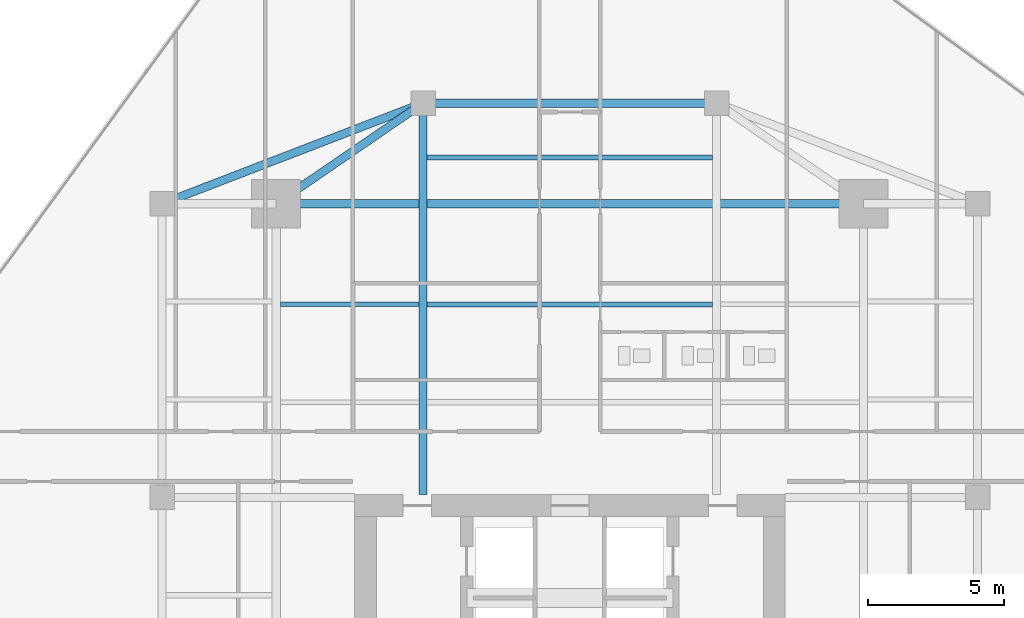
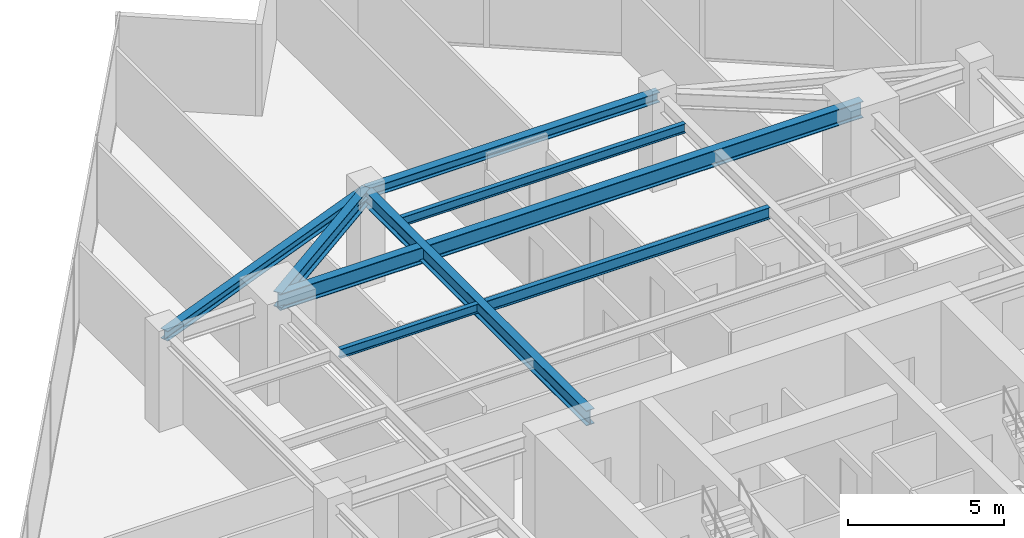
# One storey, part 14 of 25: 8 beams.
"""IFC4 building model written with IfcOpenShell, lengths in metres."""

from ifc_helpers import new_model, si_unit, direction, frame, origin, origin_2d, place, context, subcontext, project, spatial, i_section, extrude, source, transform, mapped, material, material_profile, profile_set, type_object, type_shapes, element, save


model = new_model("IFC4")

# Units and contexts
model_context = context("Model", 3, precision=1e-05, world=origin(), true_north=direction((0.0, 1.0)))
body_context = subcontext(model_context, "Body", "Model", "MODEL_VIEW")
ifc_project = project(units=[si_unit("LENGTHUNIT", "METRE"), si_unit("AREAUNIT", "SQUARE_METRE"), si_unit("VOLUMEUNIT", "CUBIC_METRE"), si_unit("PLANEANGLEUNIT", "RADIAN"), si_unit("MASSUNIT", "GRAM", prefix="KILO")], contexts=[model_context])

# Site, building, storey
site_placement = place(None, origin())
site = spatial("IfcSite", under=ifc_project, at=site_placement, CompositionType="ELEMENT")
building_placement = place(site_placement, origin())
building = spatial("IfcBuilding", under=site, at=building_placement, Name="Krantzveldt Concourse Tower", CompositionType="ELEMENT")
storey_placement = place(building_placement, frame((0.0, 0.0, 197.550048828125)))
storey = spatial("IfcBuildingStorey", under=building, at=storey_placement, Name="L48", CompositionType="ELEMENT", Elevation=197.550048828125)

# Beams
ifc_material = material(Name="Steel S355JR", Category="steel")
ifc_material_profile_1 = material_profile(ifc_material, i_section(OverallWidth=0.300048828125, OverallDepth=0.639892578125, WebThickness=0.013427734375, FlangeThickness=0.02587890625, FilletRadius=0.027099609375, at=origin_2d()), Name="Steel S355JR", Category="steel")
ifc_profile_set_1 = profile_set([ifc_material_profile_1], Name="Steel S355JR - HEA 650")
beam_type_1 = type_object("IfcBeamType", Name="BM-B-HEA650", PredefinedType="BEAM", material=ifc_profile_set_1)
shared_shape_1 = source(origin(), body_context, "Body", "SweptSolid", [
    extrude(i_section(OverallWidth=0.300048828125, OverallDepth=0.639892578125, WebThickness=0.013427734375, FlangeThickness=0.02587890625, FilletRadius=0.027099609375, at=origin_2d()), origin(), (0.0, 0.0, 1.0), 21.60009765625),
])
type_shapes(beam_type_1, [shared_shape_1])
beam_1_placement = place(storey_placement, frame((25.199951171875, 37.5, 3.27001953125), z_axis=(1.0, 0.0, 0.0), x_axis=(0.0, 1.0, 0.0)))
element("IfcBeam", 1, at=beam_1_placement, inside=storey, type_object=beam_type_1, Name="L48 Tower Girder BG-MN", PredefinedType="BEAM", context=body_context, shape_type="MappedRepresentation", body=[
    mapped(shared_shape_1, transform((0.0, 0.0, 0.0), x_axis=(1.0, 0.0, 0.0), y_axis=(0.0, 1.0, 0.0), z_axis=(0.0, 0.0, 1.0), scale=1.0)),
])
ifc_material_profile_2 = material_profile(ifc_material, i_section(OverallWidth=0.300048828125, OverallDepth=0.590087890625, WebThickness=0.012939453125, FlangeThickness=0.02490234375, FilletRadius=0.027099609375, at=origin_2d()), Name="Steel S355JR", Category="steel")
ifc_profile_set_2 = profile_set([ifc_material_profile_2], Name="Steel S355JR - HEA 600")
beam_type_2 = type_object("IfcBeamType", Name="BM-B-HEA600", PredefinedType="BEAM", material=ifc_profile_set_2)
shared_shape_2 = source(origin(), body_context, "Body", "SweptSolid", [
    extrude(i_section(OverallWidth=0.300048828125, OverallDepth=0.590087890625, WebThickness=0.012939453125, FlangeThickness=0.02490234375, FilletRadius=0.027099609375, at=origin_2d()), origin(), (0.0, 0.0, 1.0), 14.39990234375),
])
beam_2_placement = place(storey_placement, frame((30.60009765625, 26.800048828125, 3.294921875), z_axis=(0.0, 1.0, 0.0), x_axis=(-1.0, 0.0, 0.0)))
element("IfcBeam", 2, at=beam_2_placement, inside=storey, type_object=beam_type_2, Name="L48 Tower Girder BG-CNW", PredefinedType="BEAM", context=body_context, shape_type="MappedRepresentation", body=[
    mapped(shared_shape_2, transform((0.0, 0.0, 0.0), x_axis=(1.0, 0.0, 0.0), y_axis=(0.0, 1.0, 0.0), z_axis=(0.0, 0.0, 1.0), scale=1.0)),
])
shared_shape_3 = source(origin(), body_context, "Body", "SweptSolid", [
    extrude(i_section(OverallWidth=0.300048828125, OverallDepth=0.590087890625, WebThickness=0.012939453125, FlangeThickness=0.02490234375, FilletRadius=0.027099609375, at=origin_2d()), origin(), (0.0, 0.0, 1.0), 6.546142578125),
])
type_shapes(beam_type_2, [shared_shape_2, shared_shape_3])
beam_3_placement = place(storey_placement, frame((25.199951171875, 37.5, 3.294921875), z_axis=(0.824942999484, 0.565215930068, 0.0), x_axis=(-0.565215930068, 0.824942999484, 0.0)))
element("IfcBeam", 3, at=beam_3_placement, inside=storey, type_object=beam_type_2, Name="L48 Tower Girder BR-RL4", PredefinedType="BEAM", context=body_context, shape_type="MappedRepresentation", body=[
    mapped(shared_shape_3, transform((0.0, 0.0, 0.0), x_axis=(1.0, 0.0, 0.0), y_axis=(0.0, 1.0, 0.0), z_axis=(0.0, 0.0, 1.0), scale=1.0)),
])
ifc_material_profile_3 = material_profile(ifc_material, i_section(OverallWidth=0.18994140625, OverallDepth=0.449951171875, WebThickness=0.009521484375, FlangeThickness=0.0146484375, FilletRadius=0.02099609375, at=origin_2d()), Name="Steel S355JR", Category="steel")
ifc_profile_set_3 = profile_set([ifc_material_profile_3], Name="Steel S355JR - IPE 450")
beam_type_3 = type_object("IfcBeamType", Name="BM-J-IPE450", PredefinedType="JOIST", material=ifc_profile_set_3)
shared_shape_4 = source(origin(), body_context, "Body", "SweptSolid", [
    extrude(i_section(OverallWidth=0.18994140625, OverallDepth=0.449951171875, WebThickness=0.009521484375, FlangeThickness=0.0146484375, FilletRadius=0.02099609375, at=origin_2d()), origin(), (0.0, 0.0, 1.0), 10.5),
])
type_shapes(beam_type_3, [shared_shape_4])
beam_4_placement = place(storey_placement, frame((30.75, 33.800048828125, 3.364990234375), z_axis=(1.0, 0.0, 0.0), x_axis=(0.0, 1.0, 0.0)))
element("IfcBeam", 4, at=beam_4_placement, inside=storey, type_object=beam_type_3, Name="L48 Secondary Floor Joist JN-C2", PredefinedType="JOIST", context=body_context, shape_type="MappedRepresentation", body=[
    mapped(shared_shape_4, transform((0.0, 0.0, 0.0), x_axis=(1.0, 0.0, 0.0), y_axis=(0.0, 1.0, 0.0), z_axis=(0.0, 0.0, 1.0), scale=1.0)),
])
ifc_material_profile_4 = material_profile(ifc_material, i_section(OverallWidth=0.300048828125, OverallDepth=0.389892578125, WebThickness=0.010986328125, FlangeThickness=0.01904296875, FilletRadius=0.027099609375, at=origin_2d()), Name="Steel S355JR", Category="steel")
ifc_profile_set_4 = profile_set([ifc_material_profile_4], Name="Steel S355JR - HEA 400")
beam_type_4 = type_object("IfcBeamType", Name="BM-SP-HEA400", PredefinedType="SPANDREL", material=ifc_profile_set_4)
shared_shape_5 = source(origin(), body_context, "Body", "SweptSolid", [
    extrude(i_section(OverallWidth=0.300048828125, OverallDepth=0.389892578125, WebThickness=0.010986328125, FlangeThickness=0.01904296875, FilletRadius=0.027099609375, at=origin_2d()), origin(), (0.0, 0.0, 1.0), 10.288330078125),
])
beam_5_placement = place(storey_placement, frame((21.0, 37.5, 3.39501953125), z_axis=(0.933097690408, 0.359622997257, 0.0), x_axis=(-0.359622997257, 0.933097690408, 0.0)))
element("IfcBeam", 5, at=beam_5_placement, inside=storey, type_object=beam_type_4, Name="L48 Tower Girder SP-R03", PredefinedType="SPANDREL", context=body_context, shape_type="MappedRepresentation", body=[
    mapped(shared_shape_5, transform((0.0, 0.0, 0.0), x_axis=(1.0, 0.0, 0.0), y_axis=(0.0, 1.0, 0.0), z_axis=(0.0, 0.0, 1.0), scale=1.0)),
])
shared_shape_6 = source(origin(), body_context, "Body", "SweptSolid", [
    extrude(i_section(OverallWidth=0.300048828125, OverallDepth=0.389892578125, WebThickness=0.010986328125, FlangeThickness=0.01904296875, FilletRadius=0.027099609375, at=origin_2d()), origin(), (0.0, 0.0, 1.0), 10.7998046875),
])
type_shapes(beam_type_4, [shared_shape_5, shared_shape_6])
beam_6_placement = place(storey_placement, frame((30.60009765625, 41.199951171875, 3.39501953125), z_axis=(1.0, 0.0, 0.0), x_axis=(0.0, 1.0, 0.0)))
element("IfcBeam", 6, at=beam_6_placement, inside=storey, type_object=beam_type_4, Name="L48 Tower Girder SP-R04", PredefinedType="SPANDREL", context=body_context, shape_type="MappedRepresentation", body=[
    mapped(shared_shape_6, transform((0.0, 0.0, 0.0), x_axis=(1.0, 0.0, 0.0), y_axis=(0.0, 1.0, 0.0), z_axis=(0.0, 0.0, 1.0), scale=1.0)),
])
ifc_material_profile_5 = material_profile(ifc_material, i_section(OverallWidth=0.169921875, OverallDepth=0.360107421875, WebThickness=0.008056640625, FlangeThickness=0.0126953125, FilletRadius=0.01806640625, at=origin_2d()), Name="Steel S355JR", Category="steel")
ifc_profile_set_5 = profile_set([ifc_material_profile_5], Name="Steel S355JR - IPE 360")
beam_type_5 = type_object("IfcBeamType", Name="BM-J-IPE360", PredefinedType="JOIST", material=ifc_profile_set_5)
shared_shape_7 = source(origin(), body_context, "Body", "SweptSolid", [
    extrude(i_section(OverallWidth=0.169921875, OverallDepth=0.360107421875, WebThickness=0.008056640625, FlangeThickness=0.0126953125, FilletRadius=0.01806640625, at=origin_2d()), origin(), (0.0, 0.0, 1.0), 10.5),
])
beam_7_placement = place(storey_placement, frame((30.75, 39.199951171875, 3.409912109375), z_axis=(1.0, 0.0, 0.0), x_axis=(0.0, 1.0, 0.0)))
element("IfcBeam", 7, at=beam_7_placement, inside=storey, type_object=beam_type_5, Name="L48 Secondary Floor Joist JN-C3", PredefinedType="JOIST", context=body_context, shape_type="MappedRepresentation", body=[
    mapped(shared_shape_7, transform((0.0, 0.0, 0.0), x_axis=(1.0, 0.0, 0.0), y_axis=(0.0, 1.0, 0.0), z_axis=(0.0, 0.0, 1.0), scale=1.0)),
])
shared_shape_8 = source(origin(), body_context, "Body", "SweptSolid", [
    extrude(i_section(OverallWidth=0.169921875, OverallDepth=0.360107421875, WebThickness=0.008056640625, FlangeThickness=0.0126953125, FilletRadius=0.01806640625, at=origin_2d()), origin(), (0.0, 0.0, 1.0), 5.099853515625),
])
type_shapes(beam_type_5, [shared_shape_7, shared_shape_8])
beam_8_placement = place(storey_placement, frame((25.35009765625, 33.800048828125, 3.409912109375), z_axis=(1.0, 0.0, 0.0), x_axis=(0.0, 1.0, 0.0)))
element("IfcBeam", 8, at=beam_8_placement, inside=storey, type_object=beam_type_5, Name="L48 Secondary Floor Joist JN-W2", PredefinedType="JOIST", context=body_context, shape_type="MappedRepresentation", body=[
    mapped(shared_shape_8, transform((0.0, 0.0, 0.0), x_axis=(1.0, 0.0, 0.0), y_axis=(0.0, 1.0, 0.0), z_axis=(0.0, 0.0, 1.0), scale=1.0)),
])

save(model, "model.ifc")
